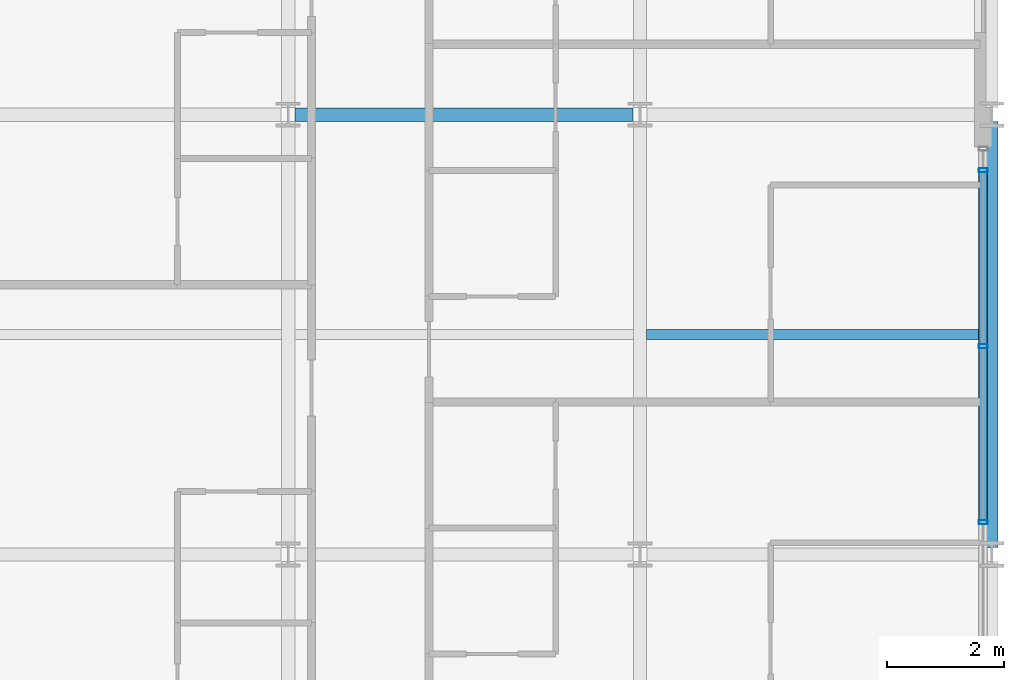
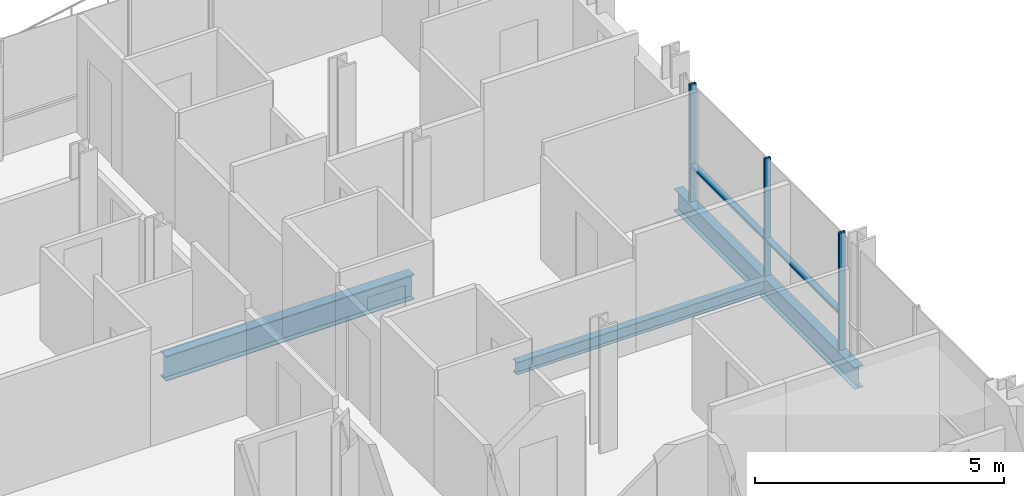
# One storey, part 19 of 40: 5 members, 3 beams, 1 element without a shape of its own.
"""IFC4 building model written with IfcOpenShell, lengths in metres."""

from ifc_helpers import new_model, si_unit, direction, frame, origin, origin_2d, place, context, subcontext, project, spatial, hollow_rectangle, i_section, extrude, material, layer, layer_set, material_profile, profile_set, type_object, element, aggregate, save


model = new_model("IFC4")

# Units and contexts
model_context = context("Model", 3, precision=1e-05, world=origin(), true_north=direction((0.0, 1.0)))
body_context = subcontext(model_context, "Body", "Model", "MODEL_VIEW")
ifc_project = project(units=[si_unit("LENGTHUNIT", "METRE"), si_unit("AREAUNIT", "SQUARE_METRE"), si_unit("VOLUMEUNIT", "CUBIC_METRE"), si_unit("PLANEANGLEUNIT", "RADIAN"), si_unit("MASSUNIT", "GRAM", prefix="KILO")], contexts=[model_context])

# Site, building, storey
site_placement = place(None, origin())
site = spatial("IfcSite", under=ifc_project, at=site_placement, CompositionType="ELEMENT")
building_placement = place(site_placement, origin())
building = spatial("IfcBuilding", under=site, at=building_placement, Name="Brevholm Reach", CompositionType="ELEMENT")
storey_placement = place(building_placement, frame((0.0, 0.0, 125.199951171875)))
storey = spatial("IfcBuildingStorey", under=building, at=storey_placement, Name="L37", CompositionType="ELEMENT", Elevation=125.199951171875)

# Beams
ifc_material_1 = material(Name="Structural Steel S355J2", Category="steel")
ifc_material_profile_1 = material_profile(ifc_material_1, i_section(OverallWidth=0.1650390625, OverallDepth=0.303466796875, WebThickness=0.006103515625, FlangeThickness=0.01025390625, FilletRadius=0.0087890625, at=origin_2d()), Name="UKB 305x165x40")
ifc_profile_set_1 = profile_set([ifc_material_profile_1], Name="Structural Steel S355J2")
beam_type_1 = type_object("IfcBeamType", Name="BM-B305", PredefinedType="BEAM", material=ifc_profile_set_1)
beam_1_placement = place(storey_placement, frame((54.114501953125, 19.75, -0.37158203125), z_axis=(1.0, 0.0, 0.0), x_axis=(0.0, 1.0, 0.0)))
element("IfcBeam", 1, at=beam_1_placement, inside=storey, type_object=beam_type_1, Name="L37 Composite Secondary Floor Beam", PredefinedType="BEAM", context=body_context, shape_type="SweptSolid", body=[
    extrude(i_section(OverallWidth=0.1650390625, OverallDepth=0.303466796875, WebThickness=0.006103515625, FlangeThickness=0.01025390625, FilletRadius=0.0087890625, at=origin_2d()), origin(), (0.0, 0.0, 1.0), 5.78076171875),
])
ifc_material_2 = material(Name="Structural Steel S355J2", Category="steel")
ifc_material_profile_2 = material_profile(ifc_material_2, i_section(OverallWidth=0.209228515625, OverallDepth=0.533203125, WebThickness=0.010009765625, FlangeThickness=0.015625, FilletRadius=0.0126953125, at=origin_2d()), Name="UKB 533x210x92")
ifc_profile_set_2 = profile_set([ifc_material_profile_2], Name="Structural Steel S355J2")
beam_type_2 = type_object("IfcBeamType", Name="BM-SP533", PredefinedType="SPANDREL", material=ifc_profile_set_2)
beam_2_placement = place(storey_placement, frame((60.0, 16.1201171875, -0.486572265625), z_axis=(0.0, 1.0, 0.0), x_axis=(-1.0, 0.0, 0.0)))
element("IfcBeam", 2, at=beam_2_placement, inside=storey, type_object=beam_type_2, Name="L37 SP-02 Framing Beam", PredefinedType="SPANDREL", context=body_context, shape_type="SweptSolid", body=[
    extrude(i_section(OverallWidth=0.209228515625, OverallDepth=0.533203125, WebThickness=0.010009765625, FlangeThickness=0.015625, FilletRadius=0.0126953125, at=origin_2d()), origin(), (0.0, 0.0, 1.0), 7.259765625),
])
ifc_material_3 = material(Name="Structural Steel S355J2", Category="steel")
ifc_material_profile_3 = material_profile(ifc_material_3, i_section(OverallWidth=0.22900390625, OverallDepth=0.6123046875, WebThickness=0.011962890625, FlangeThickness=0.01953125, FilletRadius=0.0126953125, at=origin_2d()), Name="UKB 610x229x125")
ifc_profile_set_3 = profile_set([ifc_material_profile_3], Name="Structural Steel S355J2")
beam_type_3 = type_object("IfcBeamType", Name="BM-SP610", PredefinedType="SPANDREL", material=ifc_profile_set_3)
beam_3_placement = place(storey_placement, frame((48.1201171875, 23.5, -0.526123046875), z_axis=(1.0, 0.0, 0.0), x_axis=(0.0, 1.0, 0.0)))
element("IfcBeam", 3, at=beam_3_placement, inside=storey, type_object=beam_type_3, Name="L37 SP-01 Framing Beam", PredefinedType="SPANDREL", context=body_context, shape_type="SweptSolid", body=[
    extrude(i_section(OverallWidth=0.22900390625, OverallDepth=0.6123046875, WebThickness=0.011962890625, FlangeThickness=0.01953125, FilletRadius=0.0126953125, at=origin_2d()), origin(), (0.0, 0.0, 1.0), 5.759765625),
])

# Curtain wall, members
ifc_material_4 = material(Name="Dark Anodised Aluminium 6063-T6 and Solar-Control Glass", Category="aluminium")
ifc_layer = layer(ifc_material_4, 0.14990234375)
ifc_layer_set = layer_set([ifc_layer], Name="Dark Anodised Aluminium 6063-T6 and Solar-Control Glass")
curtain_wall_type = type_object("IfcCurtainWallType", Name="CW-01", PredefinedType="NOTDEFINED", material=ifc_layer_set)
curtain_wall_placement = place(storey_placement, origin())
curtain_wall = element("IfcCurtainWall", 4, at=curtain_wall_placement, inside=storey, type_object=curtain_wall_type, Name="L37 Curtain Wall CW-01", PredefinedType="NOTDEFINED")
ifc_material_5 = material(Name="Dark Anodised Aluminium 6063-T6", Category="aluminium")
ifc_material_profile_4 = material_profile(ifc_material_5, hollow_rectangle(XDim=0.06494140625, YDim=0.14990234375, WallThickness=0.0048828125, InnerFilletRadius=0.0048828125, OuterFilletRadius=0.010009765625, at=origin_2d()), Name="RHS 150x65x5")
ifc_profile_set_4 = profile_set([ifc_material_profile_4], Name="Dark Anodised Aluminium 6063-T6")
member_type_1 = type_object("IfcMemberType", Name="CWM-150", PredefinedType="MULLION", material=ifc_profile_set_4)
member_1_placement = place(storey_placement, frame((59.85009765625, 16.550048828125, 0.0), z_axis=(0.0, 0.0, 1.0), x_axis=(0.0, 1.0, 0.0)))
member_1 = element("IfcMember", 5, at=member_1_placement, type_object=member_type_1, Name="CM-150 Mullion 3", PredefinedType="MULLION", context=body_context, shape_type="SweptSolid", body=[
    extrude(hollow_rectangle(XDim=0.06494140625, YDim=0.14990234375, WallThickness=0.0048828125, InnerFilletRadius=0.0048828125, OuterFilletRadius=0.010009765625, at=origin_2d()), origin(), (0.0, 0.0, 1.0), 2.880126953125),
])
member_2_placement = place(storey_placement, frame((59.85009765625, 19.550048828125, 0.0), z_axis=(0.0, 0.0, 1.0), x_axis=(0.0, 1.0, 0.0)))
member_2 = element("IfcMember", 6, at=member_2_placement, type_object=member_type_1, Name="CM-150 Mullion 4", PredefinedType="MULLION", context=body_context, shape_type="SweptSolid", body=[
    extrude(hollow_rectangle(XDim=0.06494140625, YDim=0.14990234375, WallThickness=0.0048828125, InnerFilletRadius=0.0048828125, OuterFilletRadius=0.010009765625, at=origin_2d()), origin(), (0.0, 0.0, 1.0), 2.880126953125),
])
member_3_placement = place(storey_placement, frame((59.85009765625, 22.550048828125, 0.0), z_axis=(0.0, 0.0, 1.0), x_axis=(0.0, 1.0, 0.0)))
member_3 = element("IfcMember", 7, at=member_3_placement, type_object=member_type_1, Name="CM-150 Mullion 5", PredefinedType="MULLION", context=body_context, shape_type="SweptSolid", body=[
    extrude(hollow_rectangle(XDim=0.06494140625, YDim=0.14990234375, WallThickness=0.0048828125, InnerFilletRadius=0.0048828125, OuterFilletRadius=0.010009765625, at=origin_2d()), origin(), (0.0, 0.0, 1.0), 2.880126953125),
])
ifc_material_6 = material(Name="Dark Anodised Aluminium 6063-T6", Category="aluminium")
ifc_material_profile_5 = material_profile(ifc_material_6, hollow_rectangle(XDim=0.06494140625, YDim=0.14990234375, WallThickness=0.0048828125, InnerFilletRadius=0.0048828125, OuterFilletRadius=0.010009765625, at=origin_2d()), Name="RHS 150x65x5")
ifc_profile_set_5 = profile_set([ifc_material_profile_5], Name="Dark Anodised Aluminium 6063-T6")
member_type_2 = type_object("IfcMemberType", Name="CWT-150", PredefinedType="NOTDEFINED", material=ifc_profile_set_5)
member_4_placement = place(storey_placement, frame((59.85009765625, 16.58251953125, 0.900146484375), z_axis=(0.0, 1.0, 0.0), x_axis=(0.0, 0.0, 1.0)))
member_4 = element("IfcMember", 8, at=member_4_placement, type_object=member_type_2, Name="CT-150 Transom 3.1", ObjectType="TRANSOM", PredefinedType="USERDEFINED", context=body_context, shape_type="SweptSolid", body=[
    extrude(hollow_rectangle(XDim=0.06494140625, YDim=0.14990234375, WallThickness=0.0048828125, InnerFilletRadius=0.0048828125, OuterFilletRadius=0.010009765625, at=origin_2d()), origin(), (0.0, 0.0, 1.0), 2.93505859375),
])
member_5_placement = place(storey_placement, frame((59.85009765625, 19.58251953125, 0.900146484375), z_axis=(0.0, 1.0, 0.0), x_axis=(0.0, 0.0, 1.0)))
member_5 = element("IfcMember", 9, at=member_5_placement, type_object=member_type_2, Name="CT-150 Transom 4.1", ObjectType="TRANSOM", PredefinedType="USERDEFINED", context=body_context, shape_type="SweptSolid", body=[
    extrude(hollow_rectangle(XDim=0.06494140625, YDim=0.14990234375, WallThickness=0.0048828125, InnerFilletRadius=0.0048828125, OuterFilletRadius=0.010009765625, at=origin_2d()), origin(), (0.0, 0.0, 1.0), 2.93505859375),
])
aggregate(curtain_wall, [member_1, member_2, member_3, member_4, member_5])

save(model, "model.ifc")
